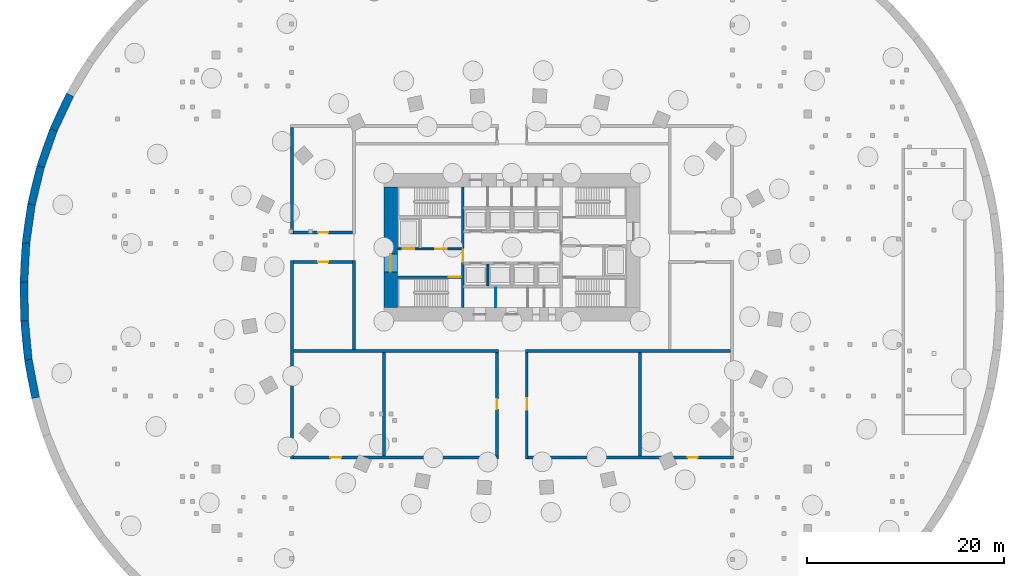
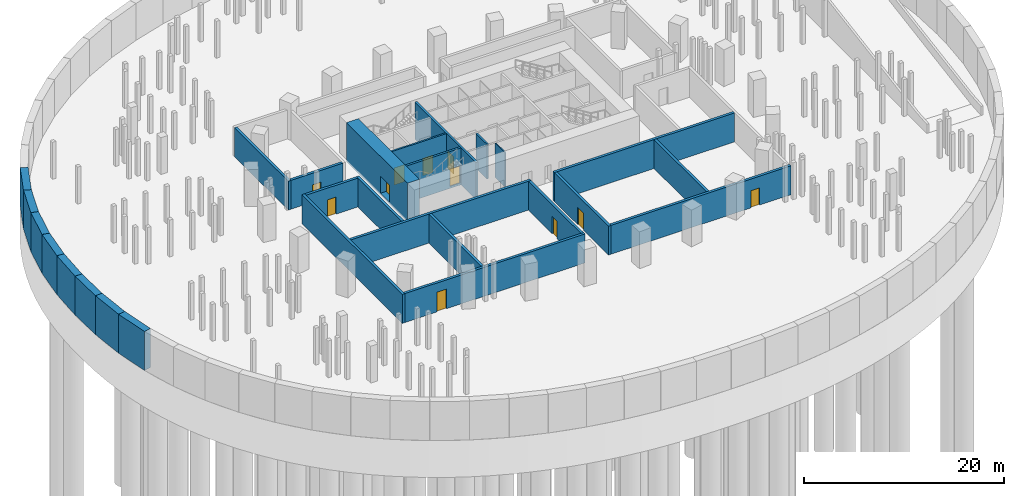
# One storey, part 4 of 10: 27 walls, 11 doors, 11 openings.
"""IFC4 building model written with IfcOpenShell, lengths in metres."""

from ifc_helpers import new_model, si_unit, direction, frame, frame_2d, origin, place, context, subcontext, project, spatial, rectangle, extrude, material, layer, layer_set, type_object, element, fill, save


model = new_model("IFC4")

# Units and contexts
model_context = context("Model", 3, precision=1e-05, world=origin(), true_north=direction((0.0, 1.0)))
body_context = subcontext(model_context, "Body", "Model", "MODEL_VIEW")
ifc_project = project(units=[si_unit("LENGTHUNIT", "METRE"), si_unit("AREAUNIT", "SQUARE_METRE"), si_unit("VOLUMEUNIT", "CUBIC_METRE"), si_unit("PLANEANGLEUNIT", "RADIAN"), si_unit("MASSUNIT", "GRAM", prefix="KILO")], contexts=[model_context])

# Site, building, storey
site_placement = place(None, origin())
site = spatial("IfcSite", under=ifc_project, at=site_placement, CompositionType="ELEMENT")
building_placement = place(site_placement, origin())
building = spatial("IfcBuilding", under=site, at=building_placement, Name="Rubra Terraces Tower", CompositionType="ELEMENT")
storey_placement = place(building_placement, frame((0.0, 0.0, -15.0)))
storey = spatial("IfcBuildingStorey", under=building, at=storey_placement, Name="B3", CompositionType="ELEMENT", Elevation=-15.0)

# Walls
ifc_material_1 = material(Name="Concrete C40", Category="concrete")
ifc_layer_1 = layer(ifc_material_1, 0.800048828125)
ifc_layer_set_1 = layer_set([ifc_layer_1], Name="Concrete C40")
wall_type_1 = type_object("IfcWallType", Name="BASEMENT WALL 800", PredefinedType="SOLIDWALL", material=ifc_layer_set_1)
wall_1_placement = place(storey_placement, frame((-48.31298828125, -10.77197265625, -0.25), z_axis=(0.0, 0.0, 1.0), x_axis=(-0.187291226667, 0.982304431637, 0.0)))
element("IfcWall", 1, at=wall_1_placement, inside=storey, type_object=wall_type_1, Name="wall-B3-basement-036", PredefinedType="SOLIDWALL", context=body_context, shape_type="SweptSolid", body=[
    extrude(rectangle(XDim=3.94580078125, YDim=0.800048828125, at=frame_2d((1.972900390625, 0.0))), origin(), (0.0, 0.0, 1.0), 4.75),
])
wall_2_placement = place(storey_placement, frame((-49.052001953125, -6.89599609375, -0.25), z_axis=(0.0, 0.0, 1.0), x_axis=(-0.095235161582, 0.995454802589, 0.0)))
element("IfcWall", 2, at=wall_2_placement, inside=storey, type_object=wall_type_1, Name="wall-B3-basement-037", PredefinedType="SOLIDWALL", context=body_context, shape_type="SweptSolid", body=[
    extrude(rectangle(XDim=3.94775390625, YDim=0.800048828125, at=frame_2d((1.973876953125, 0.0))), origin(), (0.0, 0.0, 1.0), 4.75),
])
wall_3_placement = place(storey_placement, frame((-49.427978515625, -2.966064453125, -0.25), z_axis=(0.0, 0.0, 1.0), x_axis=(-0.016664352334, 0.99986114004, 0.0)))
element("IfcWall", 3, at=wall_3_placement, inside=storey, type_object=wall_type_1, Name="wall-B3-basement-038", PredefinedType="SOLIDWALL", context=body_context, shape_type="SweptSolid", body=[
    extrude(rectangle(XDim=3.95556640625, YDim=0.800048828125, at=frame_2d((1.977783203125, 0.0))), origin(), (0.0, 0.0, 1.0), 4.75),
])
wall_4_placement = place(storey_placement, frame((-49.493896484375, 0.989013671875, -0.25), z_axis=(0.0, 0.0, 1.0), x_axis=(0.053119676616, 0.998588153323, 0.0)))
element("IfcWall", 4, at=wall_4_placement, inside=storey, type_object=wall_type_1, Name="wall-B3-basement-039", PredefinedType="SOLIDWALL", context=body_context, shape_type="SweptSolid", body=[
    extrude(rectangle(XDim=3.95263671875, YDim=0.800048828125, at=frame_2d((1.976318359375, 0.0))), origin(), (0.0, 0.0, 1.0), 4.75),
])
wall_5_placement = place(storey_placement, frame((-49.283935546875, 4.93603515625, -0.25), z_axis=(0.0, 0.0, 1.0), x_axis=(0.14059001303, 0.990067900821, 0.0)))
element("IfcWall", 5, at=wall_5_placement, inside=storey, type_object=wall_type_1, Name="wall-B3-basement-040", PredefinedType="SOLIDWALL", context=body_context, shape_type="SweptSolid", body=[
    extrude(rectangle(XDim=3.947265625, YDim=0.800048828125, at=frame_2d((1.9736328125, 0.0))), origin(), (0.0, 0.0, 1.0), 4.75),
])
wall_6_placement = place(storey_placement, frame((-48.72900390625, 8.843994140625, -0.25), z_axis=(0.0, 0.0, 1.0), x_axis=(0.235126783893, 0.971964708977, 0.0)))
element("IfcWall", 6, at=wall_6_placement, inside=storey, type_object=wall_type_1, Name="wall-B3-basement-041", PredefinedType="SOLIDWALL", context=body_context, shape_type="SweptSolid", body=[
    extrude(rectangle(XDim=3.942626953125, YDim=0.800048828125, at=frame_2d((1.97119140625, 0.0))), origin(), (0.0, 0.0, 1.0), 4.75),
])
wall_7_placement = place(storey_placement, frame((-47.802001953125, 12.676025390625, -0.25), z_axis=(0.0, 0.0, 1.0), x_axis=(0.331378765585, 0.94349780801, 0.0)))
element("IfcWall", 7, at=wall_7_placement, inside=storey, type_object=wall_type_1, Name="wall-B3-basement-042", PredefinedType="SOLIDWALL", context=body_context, shape_type="SweptSolid", body=[
    extrude(rectangle(XDim=3.94384765625, YDim=0.800048828125, at=frame_2d((1.971923828125, 0.0))), origin(), (0.0, 0.0, 1.0), 4.75),
])
wall_8_placement = place(storey_placement, frame((-46.4951171875, 16.39697265625, -0.25), z_axis=(0.0, 0.0, 1.0), x_axis=(0.425910354888, 0.904765367153, 0.0)))
element("IfcWall", 8, at=wall_8_placement, inside=storey, type_object=wall_type_1, Name="wall-B3-basement-043", PredefinedType="SOLIDWALL", context=body_context, shape_type="SweptSolid", body=[
    extrude(rectangle(XDim=3.942626953125, YDim=0.800048828125, at=frame_2d((1.97119140625, 0.0))), origin(), (0.0, 0.0, 1.0), 4.75),
])

# Wall, opening, door
ifc_material_2 = material(Name="Concrete C70", Category="concrete")
ifc_layer_2 = layer(ifc_material_2, 1.39990234375)
ifc_layer_set_2 = layer_set([ifc_layer_2], Name="Concrete C70")
wall_type_2 = type_object("IfcWallType", Name="CORE WALL 1400 C70", PredefinedType="SHEAR", material=ifc_layer_set_2)
wall_9_placement = place(storey_placement, frame((-12.300048828125, -1.60009765625, -0.25), z_axis=(0.0, 0.0, 1.0), x_axis=(0.0, 1.0, 0.0)))
wall_9 = element("IfcWall", 9, at=wall_9_placement, inside=storey, type_object=wall_type_2, Name="CORE WALL W B3", PredefinedType="SHEAR", context=body_context, shape_type="SweptSolid", body=[
    extrude(rectangle(XDim=12.2001953125, YDim=1.39990234375, at=frame_2d((6.10009765625, 0.0))), origin(), (0.0, 0.0, 1.0), 4.75),
])
opening_1_placement = place(wall_9_placement, frame((3.60009765625, 0.0, 0.25)))
opening_1 = element("IfcOpeningElement", 10, at=opening_1_placement, cuts=wall_9, Name="Opening B3.C01", PredefinedType="OPENING", context=body_context, shape_type="SweptSolid", body=[
    extrude(rectangle(XDim=1.800048828125, YDim=2.10009765625, at=frame_2d((0.89990234375, 1.050048828125))), frame((0.0, 0.7099609375, 0.0), z_axis=(0.0, -1.0, 0.0), x_axis=(1.0, 0.0, 0.0)), (0.0, 0.0, 1.0), 1.419921875),
])
ifc_material_3 = material(Name="Painted steel", Category="steel")
door_type_1 = type_object("IfcDoorType", Name="Fire door 1800x2100 double", OperationType="NOTDEFINED", PredefinedType="DOOR", material=ifc_material_3)
door_1_placement = place(opening_1_placement, origin())
door_1 = element("IfcDoor", 11, at=door_1_placement, inside=storey, type_object=door_type_1, Name="Core entrance door FF1", OperationType="DOUBLE_DOOR_SINGLE_SWING", OverallHeight=2.10009765625, OverallWidth=1.800048828125, PredefinedType="DOOR", context=body_context, shape_type="SweptSolid", body=[
    extrude(rectangle(XDim=1.800048828125, YDim=2.10009765625, at=frame_2d((0.89990234375, 1.050048828125))), frame((0.0, 0.02490234375, 0.0), z_axis=(0.0, -1.0, 0.0), x_axis=(1.0, 0.0, 0.0)), (0.0, 0.0, 1.0), 0.050048828125),
])
fill(opening_1, door_1)

# Wall, openings, doors
ifc_material_4 = material(Name="Concrete C30", Category="concrete")
ifc_layer_3 = layer(ifc_material_4, 0.199951171875)
ifc_layer_set_3 = layer_set([ifc_layer_3], Name="Concrete C30")
wall_type_3 = type_object("IfcWallType", Name="Core wall 200 concrete", PredefinedType="SOLIDWALL", material=ifc_layer_set_3)
wall_10_placement = place(storey_placement, frame((-11.60009765625, 4.35009765625, 0.0), z_axis=(0.0, 0.0, 1.0), x_axis=(1.0, 0.0, 0.0)))
wall_10 = element("IfcWall", 12, at=wall_10_placement, inside=storey, type_object=wall_type_3, Name="STAIR WALL B3", PredefinedType="SOLIDWALL", context=body_context, shape_type="SweptSolid", body=[
    extrude(rectangle(XDim=6.5, YDim=0.199951171875, at=frame_2d((3.25, 0.0))), origin(), (0.0, 0.0, 1.0), 4.25),
])
opening_2_placement = place(wall_10_placement, frame((3.800048828125, 0.0, 0.0)))
opening_2 = element("IfcOpeningElement", 13, at=opening_2_placement, cuts=wall_10, Name="Opening B3.C05", PredefinedType="OPENING", context=body_context, shape_type="SweptSolid", body=[
    extrude(rectangle(XDim=1.199951171875, YDim=2.10009765625, at=frame_2d((0.60009765625, 1.050048828125))), frame((0.0, 0.10986328125, 0.0), z_axis=(0.0, -1.0, 0.0), x_axis=(1.0, 0.0, 0.0)), (0.0, 0.0, 1.0), 0.219970703125),
])
opening_3_placement = place(wall_10_placement, frame((0.5, 0.0, 0.0)))
opening_3 = element("IfcOpeningElement", 14, at=opening_3_placement, cuts=wall_10, Name="Opening B3.C11", PredefinedType="OPENING", context=body_context, shape_type="SweptSolid", body=[
    extrude(rectangle(XDim=1.199951171875, YDim=2.10009765625, at=frame_2d((0.60009765625, 1.050048828125))), frame((0.0, 0.10986328125, 0.0), z_axis=(0.0, -1.0, 0.0), x_axis=(1.0, 0.0, 0.0)), (0.0, 0.0, 1.0), 0.219970703125),
])
door_type_2 = type_object("IfcDoorType", Name="Fire door 1200x2100 single", OperationType="NOTDEFINED", PredefinedType="DOOR", material=ifc_material_3)
door_2_placement = place(opening_2_placement, origin())
door_2 = element("IfcDoor", 15, at=door_2_placement, inside=storey, type_object=door_type_2, Name="Stair vestibule door S2", OperationType="SINGLE_SWING_LEFT", OverallHeight=2.10009765625, OverallWidth=1.199951171875, PredefinedType="DOOR", context=body_context, shape_type="SweptSolid", body=[
    extrude(rectangle(XDim=1.199951171875, YDim=2.10009765625, at=frame_2d((0.60009765625, 1.050048828125))), frame((0.0, 0.02490234375, 0.0), z_axis=(0.0, -1.0, 0.0), x_axis=(1.0, 0.0, 0.0)), (0.0, 0.0, 1.0), 0.050048828125),
])
fill(opening_2, door_2)
ifc_material_5 = material(Name="Stainless steel", Category="steel")
door_type_3 = type_object("IfcDoorType", Name="Lift landing door 1200x2100", OperationType="NOTDEFINED", PredefinedType="DOOR", material=ifc_material_5)
door_3_placement = place(opening_3_placement, origin())
door_3 = element("IfcDoor", 16, at=door_3_placement, inside=storey, type_object=door_type_3, Name="Landing door FF1", OperationType="SLIDING_TO_RIGHT", OverallHeight=2.10009765625, OverallWidth=1.199951171875, PredefinedType="DOOR", context=body_context, shape_type="SweptSolid", body=[
    extrude(rectangle(XDim=1.199951171875, YDim=2.10009765625, at=frame_2d((0.60009765625, 1.050048828125))), frame((0.0, 0.02490234375, 0.0), z_axis=(0.0, -1.0, 0.0), x_axis=(1.0, 0.0, 0.0)), (0.0, 0.0, 1.0), 0.050048828125),
])
fill(opening_3, door_3)

# Walls
wall_11_placement = place(storey_placement, frame((-2.449951171875, 0.60009765625, 0.0), z_axis=(0.0, 0.0, 1.0), x_axis=(0.0, 1.0, 0.0)))
element("IfcWall", 17, at=wall_11_placement, inside=storey, type_object=wall_type_3, Name="LIFT SHAFT WALL B3", PredefinedType="SOLIDWALL", context=body_context, shape_type="SweptSolid", body=[
    extrude(rectangle(XDim=2.199951171875, YDim=0.199951171875, at=frame_2d((1.10009765625, 0.0))), origin(), (0.0, 0.0, 1.0), 4.25),
])
ifc_material_6 = material(Name="Blockwork", Category="masonry")
ifc_layer_4 = layer(ifc_material_6, 0.300048828125)
ifc_layer_set_4 = layer_set([ifc_layer_4], Name="Blockwork")
wall_type_4 = type_object("IfcWallType", Name="Plant wall 300 blockwork", PredefinedType="SOLIDWALL", material=ifc_layer_set_4)
wall_12_placement = place(storey_placement, frame((-13.0, -16.64990234375, 0.0), z_axis=(0.0, 0.0, 1.0), x_axis=(0.0, 1.0, 0.0)))
element("IfcWall", 18, at=wall_12_placement, inside=storey, type_object=wall_type_4, Name="Plant room wall", PredefinedType="SOLIDWALL", context=body_context, shape_type="SweptSolid", body=[
    extrude(rectangle(XDim=10.5, YDim=0.300048828125, at=frame_2d((5.25, 0.0))), origin(), (0.0, 0.0, 1.0), 3.530029296875),
])
wall_13_placement = place(storey_placement, frame((-1.35009765625, -6.0, 0.0), z_axis=(0.0, 0.0, 1.0), x_axis=(-1.0, 0.0, 0.0)))
element("IfcWall", 19, at=wall_13_placement, inside=storey, type_object=wall_type_4, Name="Plant room wall", PredefinedType="SOLIDWALL", context=body_context, shape_type="SweptSolid", body=[
    extrude(rectangle(XDim=20.7998046875, YDim=0.300048828125, at=frame_2d((10.39990234375, 0.0))), origin(), (0.0, 0.0, 1.0), 3.530029296875),
])
wall_14_placement = place(storey_placement, frame((-22.300048828125, 3.14990234375, 0.0), z_axis=(0.0, 0.0, 1.0), x_axis=(0.0, -1.0, 0.0)))
element("IfcWall", 20, at=wall_14_placement, inside=storey, type_object=wall_type_4, Name="Plant room wall", PredefinedType="SOLIDWALL", context=body_context, shape_type="SweptSolid", body=[
    extrude(rectangle(XDim=20.099853515625, YDim=0.300048828125, at=frame_2d((10.0498046875, 0.0))), origin(), (0.0, 0.0, 1.0), 3.530029296875),
])

# Wall, opening, door
wall_15_placement = place(storey_placement, frame((-22.14990234375, -16.800048828125, 0.0), z_axis=(0.0, 0.0, 1.0), x_axis=(1.0, 0.0, 0.0)))
wall_15 = element("IfcWall", 21, at=wall_15_placement, inside=storey, type_object=wall_type_4, Name="Plant room wall", PredefinedType="SOLIDWALL", context=body_context, shape_type="SweptSolid", body=[
    extrude(rectangle(XDim=20.7998046875, YDim=0.300048828125, at=frame_2d((10.39990234375, 0.0))), origin(), (0.0, 0.0, 1.0), 3.530029296875),
])
opening_4_placement = place(wall_15_placement, frame((3.722900390625, 0.0, 0.0)))
opening_4 = element("IfcOpeningElement", 22, at=opening_4_placement, cuts=wall_15, Name="Opening DB9", PredefinedType="OPENING", context=body_context, shape_type="SweptSolid", body=[
    extrude(rectangle(XDim=1.10009765625, YDim=2.39990234375, at=frame_2d((0.550048828125, 1.199951171875))), frame((0.0, 0.159912109375, 0.0), z_axis=(0.0, -1.0, 0.0), x_axis=(1.0, 0.0, 0.0)), (0.0, 0.0, 1.0), 0.320068359375),
])
door_type_4 = type_object("IfcDoorType", Name="Plant access door 1100x2400", OperationType="NOTDEFINED", PredefinedType="DOOR", material=ifc_material_3)
door_4_placement = place(opening_4_placement, origin())
door_4 = element("IfcDoor", 23, at=door_4_placement, inside=storey, type_object=door_type_4, Name="Plant room door B3-01", OperationType="SINGLE_SWING_LEFT", OverallHeight=2.39990234375, OverallWidth=1.10009765625, PredefinedType="DOOR", context=body_context, shape_type="SweptSolid", body=[
    extrude(rectangle(XDim=1.10009765625, YDim=2.39990234375, at=frame_2d((0.550048828125, 1.199951171875))), frame((0.0, 0.02490234375, 0.0), z_axis=(0.0, -1.0, 0.0), x_axis=(1.0, 0.0, 0.0)), (0.0, 0.0, 1.0), 0.050048828125),
])
fill(opening_4, door_4)

wall_16_placement = place(storey_placement, frame((-1.5, -16.64990234375, 0.0), z_axis=(0.0, 0.0, 1.0), x_axis=(0.0, 1.0, 0.0)))
wall_16 = element("IfcWall", 24, at=wall_16_placement, inside=storey, type_object=wall_type_4, Name="Plant room wall", PredefinedType="SOLIDWALL", context=body_context, shape_type="SweptSolid", body=[
    extrude(rectangle(XDim=10.5, YDim=0.300048828125, at=frame_2d((5.25, 0.0))), origin(), (0.0, 0.0, 1.0), 3.530029296875),
])
opening_5_placement = place(wall_16_placement, frame((4.75, 0.0, 0.0)))
opening_5 = element("IfcOpeningElement", 25, at=opening_5_placement, cuts=wall_16, Name="Opening DB1", PredefinedType="OPENING", context=body_context, shape_type="SweptSolid", body=[
    extrude(rectangle(XDim=1.0, YDim=2.10009765625, at=frame_2d((0.5, 1.050048828125))), frame((0.0, 0.159912109375, 0.0), z_axis=(0.0, -1.0, 0.0), x_axis=(1.0, 0.0, 0.0)), (0.0, 0.0, 1.0), 0.320068359375),
])
ifc_material_7 = material(Name="Painted timber", Category="wood")
door_type_5 = type_object("IfcDoorType", Name="Door 1000x2100 single", OperationType="NOTDEFINED", PredefinedType="DOOR", material=ifc_material_7)
door_5_placement = place(opening_5_placement, origin())
door_5 = element("IfcDoor", 26, at=door_5_placement, inside=storey, type_object=door_type_5, Name="Plant room door B3-02", OperationType="SINGLE_SWING_LEFT", OverallHeight=2.10009765625, OverallWidth=1.0, PredefinedType="DOOR", context=body_context, shape_type="SweptSolid", body=[
    extrude(rectangle(XDim=1.0, YDim=2.10009765625, at=frame_2d((0.5, 1.050048828125))), frame((0.0, 0.02490234375, 0.0), z_axis=(0.0, -1.0, 0.0), x_axis=(1.0, 0.0, 0.0)), (0.0, 0.0, 1.0), 0.050048828125),
])
fill(opening_5, door_5)

# Walls
wall_17_placement = place(storey_placement, frame((13.0, -16.64990234375, 0.0), z_axis=(0.0, 0.0, 1.0), x_axis=(0.0, 1.0, 0.0)))
element("IfcWall", 27, at=wall_17_placement, inside=storey, type_object=wall_type_4, Name="Plant room wall", PredefinedType="SOLIDWALL", context=body_context, shape_type="SweptSolid", body=[
    extrude(rectangle(XDim=10.5, YDim=0.300048828125, at=frame_2d((5.25, 0.0))), origin(), (0.0, 0.0, 1.0), 3.530029296875),
])
wall_18_placement = place(storey_placement, frame((22.14990234375, -6.0, 0.0), z_axis=(0.0, 0.0, 1.0), x_axis=(-1.0, 0.0, 0.0)))
element("IfcWall", 28, at=wall_18_placement, inside=storey, type_object=wall_type_4, Name="Plant room wall", PredefinedType="SOLIDWALL", context=body_context, shape_type="SweptSolid", body=[
    extrude(rectangle(XDim=20.7998046875, YDim=0.300048828125, at=frame_2d((10.39990234375, 0.0))), origin(), (0.0, 0.0, 1.0), 3.530029296875),
])

# Wall, opening, door
wall_19_placement = place(storey_placement, frame((1.5, -6.14990234375, 0.0), z_axis=(0.0, 0.0, 1.0), x_axis=(0.0, -1.0, 0.0)))
wall_19 = element("IfcWall", 29, at=wall_19_placement, inside=storey, type_object=wall_type_4, Name="Plant room wall", PredefinedType="SOLIDWALL", context=body_context, shape_type="SweptSolid", body=[
    extrude(rectangle(XDim=10.800048828125, YDim=0.300048828125, at=frame_2d((5.39990234375, 0.0))), origin(), (0.0, 0.0, 1.0), 3.530029296875),
])
opening_6_placement = place(wall_19_placement, frame((4.64990234375, 0.0, 0.0)))
opening_6 = element("IfcOpeningElement", 30, at=opening_6_placement, cuts=wall_19, Name="Opening DB2", PredefinedType="OPENING", context=body_context, shape_type="SweptSolid", body=[
    extrude(rectangle(XDim=1.199951171875, YDim=2.10009765625, at=frame_2d((0.60009765625, 1.050048828125))), frame((0.0, 0.159912109375, 0.0), z_axis=(0.0, -1.0, 0.0), x_axis=(1.0, 0.0, 0.0)), (0.0, 0.0, 1.0), 0.320068359375),
])
door_type_6 = type_object("IfcDoorType", Name="Door 1200x2100 plant", OperationType="NOTDEFINED", PredefinedType="DOOR", material=ifc_material_3)
door_6_placement = place(opening_6_placement, origin())
door_6 = element("IfcDoor", 31, at=door_6_placement, inside=storey, type_object=door_type_6, Name="Plant room door B3-03", OperationType="SINGLE_SWING_LEFT", OverallHeight=2.10009765625, OverallWidth=1.199951171875, PredefinedType="DOOR", context=body_context, shape_type="SweptSolid", body=[
    extrude(rectangle(XDim=1.199951171875, YDim=2.10009765625, at=frame_2d((0.60009765625, 1.050048828125))), frame((0.0, 0.02490234375, 0.0), z_axis=(0.0, -1.0, 0.0), x_axis=(1.0, 0.0, 0.0)), (0.0, 0.0, 1.0), 0.050048828125),
])
fill(opening_6, door_6)

wall_20_placement = place(storey_placement, frame((1.64990234375, -16.800048828125, 0.0), z_axis=(0.0, 0.0, 1.0), x_axis=(1.0, 0.0, 0.0)))
wall_20 = element("IfcWall", 32, at=wall_20_placement, inside=storey, type_object=wall_type_4, Name="Plant room wall", PredefinedType="SOLIDWALL", context=body_context, shape_type="SweptSolid", body=[
    extrude(rectangle(XDim=20.800048828125, YDim=0.300048828125, at=frame_2d((10.39990234375, 0.0))), origin(), (0.0, 0.0, 1.0), 3.530029296875),
])
opening_7_placement = place(wall_20_placement, frame((16.179931640625, 0.0, 0.0)))
opening_7 = element("IfcOpeningElement", 33, at=opening_7_placement, cuts=wall_20, Name="Opening DB1", PredefinedType="OPENING", context=body_context, shape_type="SweptSolid", body=[
    extrude(rectangle(XDim=1.0, YDim=2.10009765625, at=frame_2d((0.5, 1.050048828125))), frame((0.0, 0.159912109375, 0.0), z_axis=(0.0, -1.0, 0.0), x_axis=(1.0, 0.0, 0.0)), (0.0, 0.0, 1.0), 0.320068359375),
])
door_7_placement = place(opening_7_placement, origin())
door_7 = element("IfcDoor", 34, at=door_7_placement, inside=storey, type_object=door_type_5, Name="Plant room door B3-04", OperationType="SINGLE_SWING_LEFT", OverallHeight=2.10009765625, OverallWidth=1.0, PredefinedType="DOOR", context=body_context, shape_type="SweptSolid", body=[
    extrude(rectangle(XDim=1.0, YDim=2.10009765625, at=frame_2d((0.5, 1.050048828125))), frame((0.0, 0.02490234375, 0.0), z_axis=(0.0, -1.0, 0.0), x_axis=(1.0, 0.0, 0.0)), (0.0, 0.0, 1.0), 0.050048828125),
])
fill(opening_7, door_7)

# Wall
wall_21_placement = place(storey_placement, frame((-16.0, -5.85009765625, 0.0), z_axis=(0.0, 0.0, 1.0), x_axis=(0.0, 1.0, 0.0)))
element("IfcWall", 35, at=wall_21_placement, inside=storey, type_object=wall_type_4, Name="Plant room wall", PredefinedType="SOLIDWALL", context=body_context, shape_type="SweptSolid", body=[
    extrude(rectangle(XDim=9.0, YDim=0.300048828125, at=frame_2d((4.5, 0.0))), origin(), (0.0, 0.0, 1.0), 3.530029296875),
])

# Wall, opening, door
wall_22_placement = place(storey_placement, frame((-16.14990234375, 3.0, 0.0), z_axis=(0.0, 0.0, 1.0), x_axis=(-1.0, 0.0, 0.0)))
wall_22 = element("IfcWall", 36, at=wall_22_placement, inside=storey, type_object=wall_type_4, Name="Plant room wall", PredefinedType="SOLIDWALL", context=body_context, shape_type="SweptSolid", body=[
    extrude(rectangle(XDim=6.0, YDim=0.300048828125, at=frame_2d((3.0, 0.0))), origin(), (0.0, 0.0, 1.0), 3.530029296875),
])
opening_8_placement = place(wall_22_placement, frame((2.5, 0.0, 0.0)))
opening_8 = element("IfcOpeningElement", 37, at=opening_8_placement, cuts=wall_22, Name="Opening DB1", PredefinedType="OPENING", context=body_context, shape_type="SweptSolid", body=[
    extrude(rectangle(XDim=1.0, YDim=2.10009765625, at=frame_2d((0.5, 1.050048828125))), frame((0.0, 0.159912109375, 0.0), z_axis=(0.0, -1.0, 0.0), x_axis=(1.0, 0.0, 0.0)), (0.0, 0.0, 1.0), 0.320068359375),
])
door_8_placement = place(opening_8_placement, origin())
door_8 = element("IfcDoor", 38, at=door_8_placement, inside=storey, type_object=door_type_5, Name="Plant room door B3-05", OperationType="SINGLE_SWING_LEFT", OverallHeight=2.10009765625, OverallWidth=1.0, PredefinedType="DOOR", context=body_context, shape_type="SweptSolid", body=[
    extrude(rectangle(XDim=1.0, YDim=2.10009765625, at=frame_2d((0.5, 1.050048828125))), frame((0.0, 0.02490234375, 0.0), z_axis=(0.0, -1.0, 0.0), x_axis=(1.0, 0.0, 0.0)), (0.0, 0.0, 1.0), 0.050048828125),
])
fill(opening_8, door_8)

# Wall
wall_23_placement = place(storey_placement, frame((-22.300048828125, 16.64990234375, 0.0), z_axis=(0.0, 0.0, 1.0), x_axis=(0.0, -1.0, 0.0)))
element("IfcWall", 39, at=wall_23_placement, inside=storey, type_object=wall_type_4, Name="Plant room wall", PredefinedType="SOLIDWALL", context=body_context, shape_type="SweptSolid", body=[
    extrude(rectangle(XDim=10.7998046875, YDim=0.300048828125, at=frame_2d((5.39990234375, 0.0))), origin(), (0.0, 0.0, 1.0), 3.530029296875),
])

# Wall, opening, door
wall_24_placement = place(storey_placement, frame((-22.14990234375, 6.0, 0.0), z_axis=(0.0, 0.0, 1.0), x_axis=(1.0, 0.0, 0.0)))
wall_24 = element("IfcWall", 40, at=wall_24_placement, inside=storey, type_object=wall_type_4, Name="Plant room wall", PredefinedType="SOLIDWALL", context=body_context, shape_type="SweptSolid", body=[
    extrude(rectangle(XDim=6.0, YDim=0.300048828125, at=frame_2d((3.0, 0.0))), origin(), (0.0, 0.0, 1.0), 3.530029296875),
])
opening_9_placement = place(wall_24_placement, frame((2.5, 0.0, 0.0)))
opening_9 = element("IfcOpeningElement", 41, at=opening_9_placement, cuts=wall_24, Name="Opening DB1", PredefinedType="OPENING", context=body_context, shape_type="SweptSolid", body=[
    extrude(rectangle(XDim=1.0, YDim=2.10009765625, at=frame_2d((0.5, 1.050048828125))), frame((0.0, 0.159912109375, 0.0), z_axis=(0.0, -1.0, 0.0), x_axis=(1.0, 0.0, 0.0)), (0.0, 0.0, 1.0), 0.320068359375),
])
door_9_placement = place(opening_9_placement, origin())
door_9 = element("IfcDoor", 42, at=door_9_placement, inside=storey, type_object=door_type_5, Name="Plant room door B3-06", OperationType="SINGLE_SWING_LEFT", OverallHeight=2.10009765625, OverallWidth=1.0, PredefinedType="DOOR", context=body_context, shape_type="SweptSolid", body=[
    extrude(rectangle(XDim=1.0, YDim=2.10009765625, at=frame_2d((0.5, 1.050048828125))), frame((0.0, 0.02490234375, 0.0), z_axis=(0.0, -1.0, 0.0), x_axis=(1.0, 0.0, 0.0)), (0.0, 0.0, 1.0), 0.050048828125),
])
fill(opening_9, door_9)

# Wall
ifc_layer_5 = layer(ifc_material_6, 0.10009765625)
ifc_layer_set_5 = layer_set([ifc_layer_5], Name="Blockwork")
wall_type_5 = type_object("IfcWallType", Name="Service partition 100 blockwork", PredefinedType="PARTITIONING", material=ifc_layer_set_5)
wall_25_placement = place(storey_placement, frame((-1.64990234375, -1.60009765625, 0.0), z_axis=(0.0, 0.0, 1.0), x_axis=(0.0, 1.0, 0.0)))
element("IfcWall", 43, at=wall_25_placement, inside=storey, type_object=wall_type_5, Name="SERVICE ROOM PARTITION B3", PredefinedType="PARTITIONING", context=body_context, shape_type="SweptSolid", body=[
    extrude(rectangle(XDim=2.0, YDim=0.10009765625, at=frame_2d((1.0, 0.0))), origin(), (0.0, 0.0, 1.0), 4.25),
])

# Wall, opening, door
ifc_layer_6 = layer(ifc_material_1, 0.25)
ifc_layer_set_6 = layer_set([ifc_layer_6], Name="Concrete C40")
wall_type_6 = type_object("IfcWallType", Name="Stair enclosure wall 250 concrete", PredefinedType="SOLIDWALL", material=ifc_layer_set_6)
wall_26_placement = place(storey_placement, frame((-11.60009765625, 1.47509765625, -0.25), z_axis=(0.0, 0.0, 1.0), x_axis=(1.0, 0.0, 0.0)))
wall_26 = element("IfcWall", 44, at=wall_26_placement, inside=storey, type_object=wall_type_6, Name="STAIR WALL B3", PredefinedType="SOLIDWALL", context=body_context, shape_type="SweptSolid", body=[
    extrude(rectangle(XDim=6.5, YDim=0.25, at=frame_2d((3.25, 0.0))), origin(), (0.0, 0.0, 1.0), 4.5),
])
opening_10_placement = place(wall_26_placement, frame((5.199951171875, 0.0, 0.25)))
opening_10 = element("IfcOpeningElement", 45, at=opening_10_placement, cuts=wall_26, Name="Opening B3.C07", PredefinedType="OPENING", context=body_context, shape_type="SweptSolid", body=[
    extrude(rectangle(XDim=1.199951171875, YDim=2.10009765625, at=frame_2d((0.60009765625, 1.050048828125))), frame((0.0, 0.135009765625, 0.0), z_axis=(0.0, -1.0, 0.0), x_axis=(1.0, 0.0, 0.0)), (0.0, 0.0, 1.0), 0.27001953125),
])
door_10_placement = place(opening_10_placement, origin())
door_10 = element("IfcDoor", 46, at=door_10_placement, inside=storey, type_object=door_type_2, Name="Stair door S1", OperationType="SINGLE_SWING_LEFT", OverallHeight=2.10009765625, OverallWidth=1.199951171875, PredefinedType="DOOR", context=body_context, shape_type="SweptSolid", body=[
    extrude(rectangle(XDim=1.199951171875, YDim=2.10009765625, at=frame_2d((0.60009765625, 1.050048828125))), frame((0.0, 0.02490234375, 0.0), z_axis=(0.0, -1.0, 0.0), x_axis=(1.0, 0.0, 0.0)), (0.0, 0.0, 1.0), 0.050048828125),
])
fill(opening_10, door_10)

wall_27_placement = place(storey_placement, frame((-4.97509765625, -1.60009765625, -0.25), z_axis=(0.0, 0.0, 1.0), x_axis=(0.0, 1.0, 0.0)))
wall_27 = element("IfcWall", 47, at=wall_27_placement, inside=storey, type_object=wall_type_6, Name="CORE LOBBY WALL B3", PredefinedType="SOLIDWALL", context=body_context, shape_type="SweptSolid", body=[
    extrude(rectangle(XDim=12.2001953125, YDim=0.25, at=frame_2d((6.10009765625, 0.0))), origin(), (0.0, 0.0, 1.0), 4.5),
])
opening_11_placement = place(wall_27_placement, frame((4.64990234375, 0.0, 0.25)))
opening_11 = element("IfcOpeningElement", 48, at=opening_11_placement, cuts=wall_27, Name="Opening B3.C03", PredefinedType="OPENING", context=body_context, shape_type="SweptSolid", body=[
    extrude(rectangle(XDim=1.199951171875, YDim=2.10009765625, at=frame_2d((0.60009765625, 1.050048828125))), frame((0.0, 0.135009765625, 0.0), z_axis=(0.0, -1.0, 0.0), x_axis=(1.0, 0.0, 0.0)), (0.0, 0.0, 1.0), 0.27001953125),
])
door_11_placement = place(opening_11_placement, origin())
door_11 = element("IfcDoor", 49, at=door_11_placement, inside=storey, type_object=door_type_2, Name="Firefighting lobby door FF1", OperationType="SINGLE_SWING_LEFT", OverallHeight=2.10009765625, OverallWidth=1.199951171875, PredefinedType="DOOR", context=body_context, shape_type="SweptSolid", body=[
    extrude(rectangle(XDim=1.199951171875, YDim=2.10009765625, at=frame_2d((0.60009765625, 1.050048828125))), frame((0.0, 0.02490234375, 0.0), z_axis=(0.0, -1.0, 0.0), x_axis=(1.0, 0.0, 0.0)), (0.0, 0.0, 1.0), 0.050048828125),
])
fill(opening_11, door_11)

save(model, "model.ifc")
